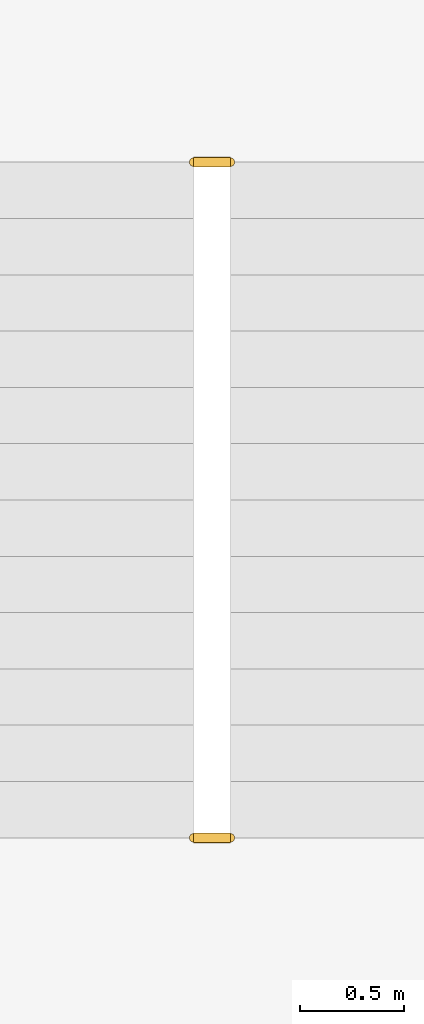
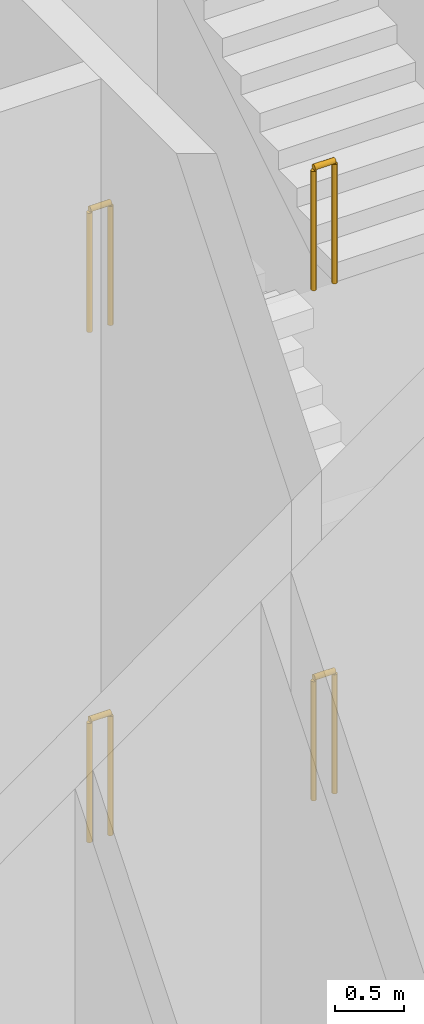
# One storey, part 20 of 20: 4 railings.
"""IFC4 building model written with IfcOpenShell, lengths in metres."""

from ifc_helpers import new_model, si_unit, direction, frame, origin, origin_2d, place, context, subcontext, project, spatial, circle, extrude, material, type_object, element, save


model = new_model("IFC4")

# Units and contexts
model_context = context("Model", 3, precision=1e-05, world=origin(), true_north=direction((0.0, 1.0)))
body_context = subcontext(model_context, "Body", "Model", "MODEL_VIEW")
ifc_project = project(units=[si_unit("LENGTHUNIT", "METRE"), si_unit("AREAUNIT", "SQUARE_METRE"), si_unit("VOLUMEUNIT", "CUBIC_METRE"), si_unit("PLANEANGLEUNIT", "RADIAN"), si_unit("MASSUNIT", "GRAM", prefix="KILO")], contexts=[model_context])

# Site, building, storey
site_placement = place(None, origin())
site = spatial("IfcSite", under=ifc_project, at=site_placement, CompositionType="ELEMENT")
building_placement = place(site_placement, origin())
building = spatial("IfcBuilding", under=site, at=building_placement, Name="Isbrekke Arena Tower", CompositionType="ELEMENT")
storey_placement = place(building_placement, frame((0.0, 0.0, 19.0)))
storey = spatial("IfcBuildingStorey", under=building, at=storey_placement, Name="L03", CompositionType="ELEMENT", Elevation=19.0)

# Railings
ifc_material = material(Name="Steel stair guard, vertical bars, steel handrail", Category="steel")
railing_type = type_object("IfcRailingType", Name="GR3 STAIR WELL GUARD 1100", PredefinedType="GUARDRAIL", material=ifc_material)
for number, where, name in (
    (1, (11.824951171875, 21.72998046875, 0.0), "GR3 stair well guard ST2 L03"),
    (2, (11.824951171875, 18.489990234375, 2.333251953125), "GR3 stair well guard ST2 L03"),
    (3, (11.824951171875, 21.72998046875, 4.5), "GR3 stair well guard ST2 L03"),
    (4, (11.824951171875, 18.489990234375, 6.833251953125), "GR3 stair well guard ST2 L03"),
):
    element("IfcRailing", number, at=place(storey_placement, frame(where)), inside=storey, type_object=railing_type, Name=name, PredefinedType="GUARDRAIL", context=body_context, shape_type="SweptSolid", body=[
        extrude(circle(Radius=0.02392578125, at=origin_2d()), frame((0.0, 0.0, 1.076171875), z_axis=(1.0, 0.0, 0.0), x_axis=(0.0, 1.0, 0.0)), (0.0, 0.0, 1.0), 0.175048828125),
        extrude(circle(Radius=0.02099609375, at=origin_2d()), origin(), (0.0, 0.0, 1.0), 1.052001953125),
        extrude(circle(Radius=0.02099609375, at=origin_2d()), frame((0.175048828125, 0.0, 0.0)), (0.0, 0.0, 1.0), 1.052001953125),
    ])

save(model, "model.ifc")
